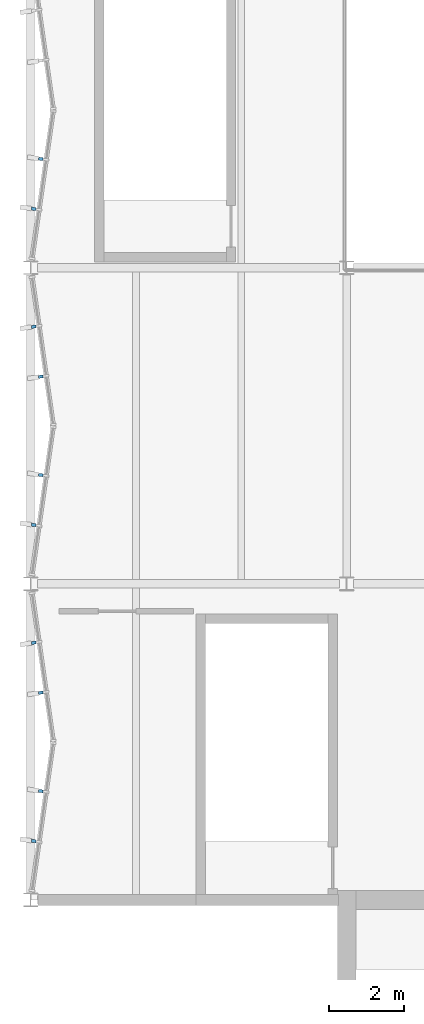
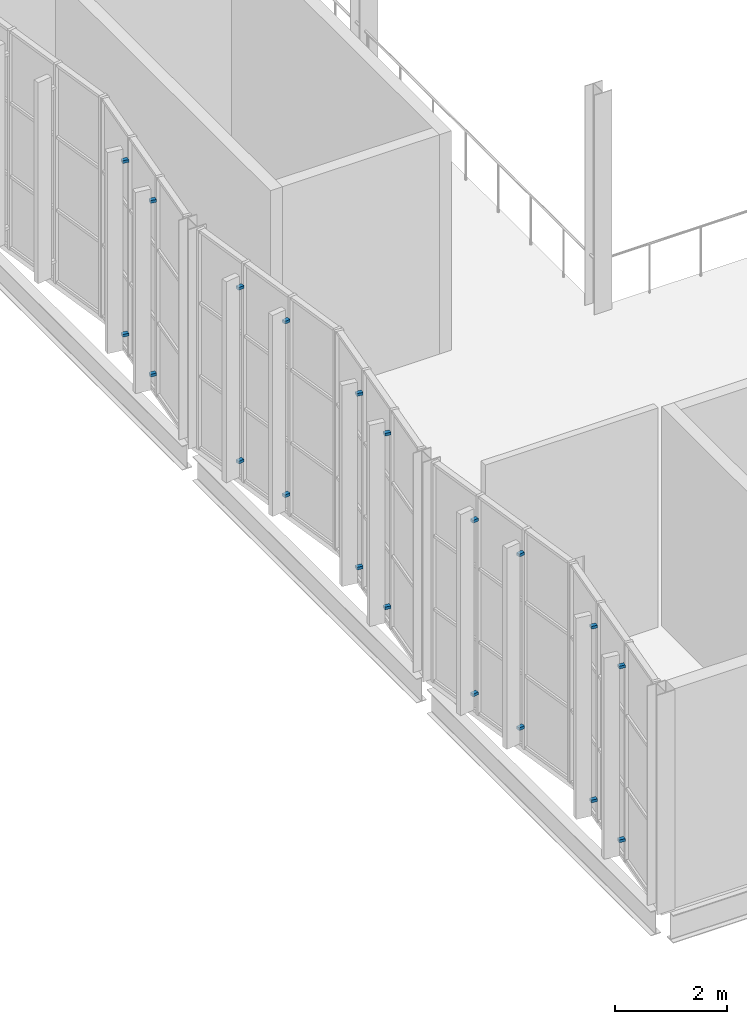
# One storey, part 85 of 116: 20 discrete accessories.
"""IFC4 building model written with IfcOpenShell, lengths in metres."""

from ifc_helpers import new_model, si_unit, direction, frame, origin, origin_2d, place, context, subcontext, project, spatial, rectangle, extrude, material, type_object, element, save


model = new_model("IFC4")

# Units and contexts
model_context = context("Model", 3, precision=1e-05, world=origin(), true_north=direction((0.0, 1.0)))
body_context = subcontext(model_context, "Body", "Model", "MODEL_VIEW")
ifc_project = project(units=[si_unit("LENGTHUNIT", "METRE"), si_unit("AREAUNIT", "SQUARE_METRE"), si_unit("VOLUMEUNIT", "CUBIC_METRE"), si_unit("PLANEANGLEUNIT", "RADIAN"), si_unit("MASSUNIT", "GRAM", prefix="KILO")], contexts=[model_context])

# Site, building, storey
site_placement = place(None, origin())
site = spatial("IfcSite", under=ifc_project, at=site_placement, CompositionType="ELEMENT")
building_placement = place(site_placement, origin())
building = spatial("IfcBuilding", under=site, at=building_placement, Name="Ljudholm Concert House", CompositionType="ELEMENT")
storey_placement = place(building_placement, frame((0.0, 0.0, 10.199951171875)))
storey = spatial("IfcBuildingStorey", under=building, at=storey_placement, Name="L02", CompositionType="ELEMENT", Elevation=10.199951171875)

# Discrete accessories
ifc_material = material(Name="Stainless steel bracket", Category="steel")
discrete_accessory_type = type_object("IfcDiscreteAccessoryType", Name="BRACKET 120", PredefinedType="BRACKET", material=ifc_material)
for number, where, z_axis, x_axis, name in (
    (1, (4.08203125, 47.56494140625, 0.469970703125), (0.0, 0.0, 1.0), (-0.989949493662, 0.141421356235, 0.0), "Fin bracket"),
    (2, (4.08203125, 47.56494140625, 4.27001953125), (0.0, 0.0, 1.0), (-0.989949493662, 0.141421356235, 0.0), "Fin bracket"),
    (3, (4.271728515625, 48.892333984375, 0.469970703125), (0.0, 0.0, 1.0), (-0.989949493662, 0.141421356235, 0.0), "Fin bracket"),
    (4, (4.271728515625, 48.892333984375, 4.27001953125), (0.0, 0.0, 1.0), (-0.989949493662, 0.141421356235, 0.0), "Fin bracket"),
    (5, (4.271728515625, 51.507568359375, 0.469970703125), (0.0, 0.0, 1.0), (-0.989949493662, -0.141421356235, 0.0), "Fin bracket"),
    (6, (4.271728515625, 51.507568359375, 4.27001953125), (0.0, 0.0, 1.0), (-0.989949493662, -0.141421356235, 0.0), "Fin bracket"),
    (7, (4.08203125, 52.8349609375, 0.469970703125), (0.0, 0.0, 1.0), (-0.989949493662, -0.141421356235, 0.0), "Fin bracket"),
    (8, (4.08203125, 52.8349609375, 4.27001953125), (0.0, 0.0, 1.0), (-0.989949493662, -0.141421356235, 0.0), "Fin bracket"),
    (9, (4.08203125, 55.965087890625, 0.469970703125), (0.0, 0.0, 1.0), (-0.989949493662, 0.141421356235, 0.0), "Fin bracket"),
    (10, (4.08203125, 55.965087890625, 4.27001953125), (0.0, 0.0, 1.0), (-0.989949493662, 0.141421356235, 0.0), "Fin bracket"),
    (11, (4.271728515625, 57.29248046875, 0.469970703125), (0.0, 0.0, 1.0), (-0.989949493662, 0.141421356235, 0.0), "Fin bracket"),
    (12, (4.271728515625, 57.29248046875, 4.27001953125), (0.0, 0.0, 1.0), (-0.989949493662, 0.141421356235, 0.0), "Fin bracket"),
    (13, (4.271728515625, 59.90771484375, 0.469970703125), (0.0, 0.0, 1.0), (-0.989949493662, -0.141421356235, 0.0), "Fin bracket"),
    (14, (4.271728515625, 59.90771484375, 4.27001953125), (0.0, 0.0, 1.0), (-0.989949493662, -0.141421356235, 0.0), "Fin bracket"),
    (15, (4.08203125, 61.235107421875, 0.469970703125), (0.0, 0.0, 1.0), (-0.989949493662, -0.141421356235, 0.0), "Fin bracket"),
    (16, (4.08203125, 61.235107421875, 4.27001953125), (0.0, 0.0, 1.0), (-0.989949493662, -0.141421356235, 0.0), "Fin bracket"),
    (17, (4.08203125, 64.364990234375, 0.469970703125), (0.0, 0.0, 1.0), (-0.989949493662, 0.141421356235, 0.0), "Fin bracket"),
    (18, (4.08203125, 64.364990234375, 4.27001953125), (0.0, 0.0, 1.0), (-0.989949493662, 0.141421356235, 0.0), "Fin bracket"),
    (19, (4.271728515625, 65.6923828125, 0.469970703125), (0.0, 0.0, 1.0), (-0.989949493662, 0.141421356235, 0.0), "Fin bracket"),
    (20, (4.271728515625, 65.6923828125, 4.27001953125), (0.0, 0.0, 1.0), (-0.989949493662, 0.141421356235, 0.0), "Fin bracket"),
):
    element("IfcDiscreteAccessory", number, at=place(storey_placement, frame(where, z_axis=z_axis, x_axis=x_axis)), inside=storey, type_object=discrete_accessory_type, Name=name, PredefinedType="BRACKET", context=body_context, shape_type="SweptSolid", body=[
        extrude(rectangle(XDim=0.1201171875, YDim=0.080078125, at=origin_2d()), origin(), (0.0, 0.0, 1.0), 0.06005859375),
    ])

save(model, "model.ifc")
